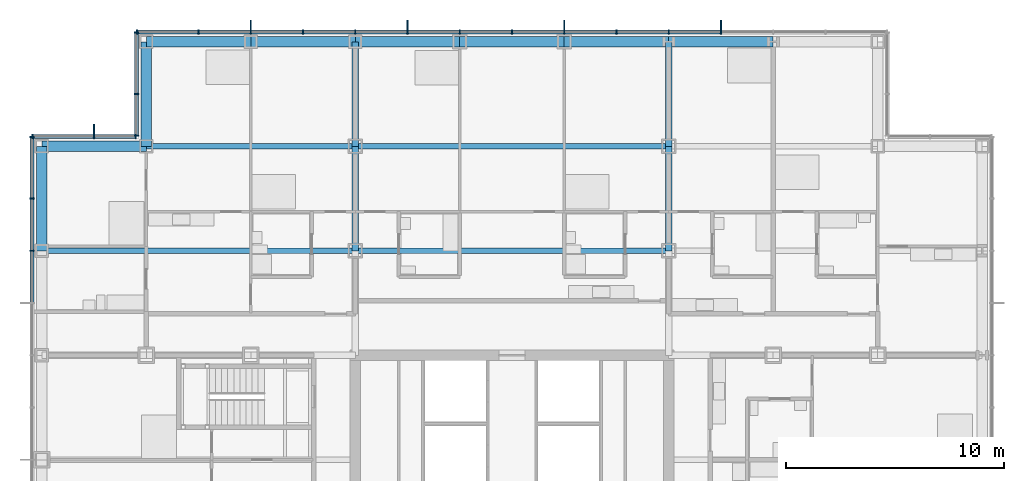
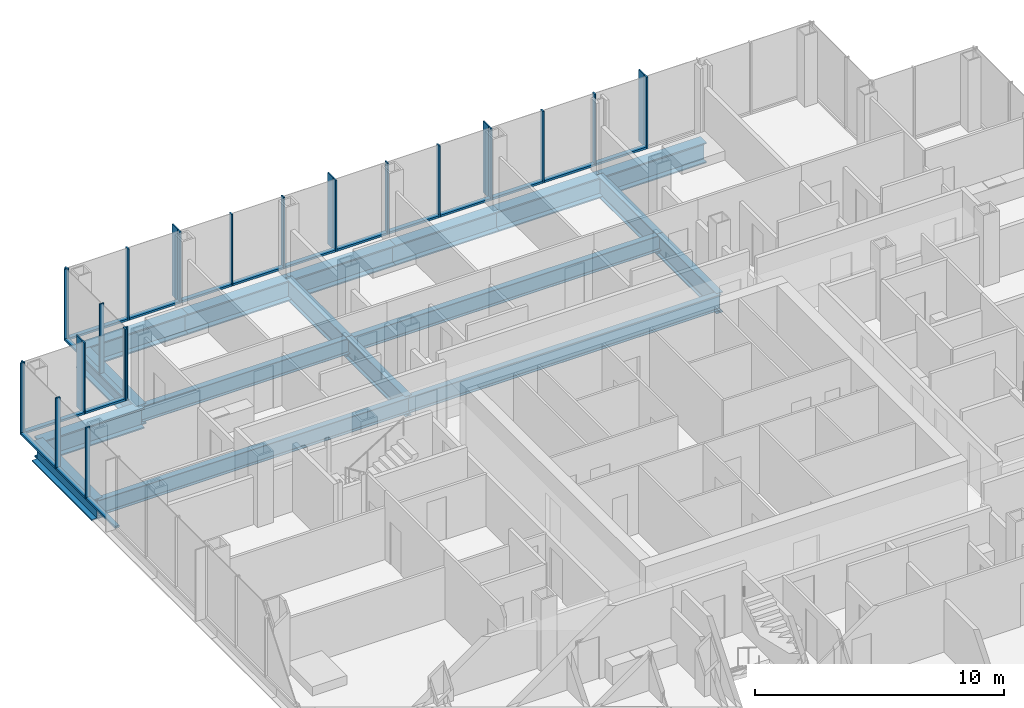
# One storey, part 10 of 21: 44 members, 17 beams, 4 elements without a shape of their own.
"""IFC4 building model written with IfcOpenShell, lengths in metres."""

from ifc_helpers import new_model, si_unit, direction, frame, origin, origin_2d, place, context, subcontext, project, spatial, rectangle, i_section, extrude, material, material_profile, profile_set, type_object, element, aggregate, save


model = new_model("IFC4")

# Units and contexts
model_context = context("Model", 3, precision=1e-05, world=origin(), true_north=direction((0.0, 1.0)))
body_context = subcontext(model_context, "Body", "Model", "MODEL_VIEW")
ifc_project = project(units=[si_unit("LENGTHUNIT", "METRE"), si_unit("AREAUNIT", "SQUARE_METRE"), si_unit("VOLUMEUNIT", "CUBIC_METRE"), si_unit("PLANEANGLEUNIT", "RADIAN"), si_unit("MASSUNIT", "GRAM", prefix="KILO")], contexts=[model_context])

# Site, building, storey
site_placement = place(None, origin())
site = spatial("IfcSite", under=ifc_project, at=site_placement, CompositionType="ELEMENT")
building_placement = place(site_placement, origin())
building = spatial("IfcBuilding", under=site, at=building_placement, Name="Kvirike Care Tower", CompositionType="ELEMENT")
storey_placement = place(building_placement, frame((0.0, 0.0, 44.5)))
storey = spatial("IfcBuildingStorey", under=building, at=storey_placement, Name="L11", CompositionType="ELEMENT", Elevation=44.5)

# Curtain wall, members
ifc_material_1 = material(Name="Anodised aluminium stick system", Category="aluminium")
curtain_wall_type = type_object("IfcCurtainWallType", Name="CW-A STICK CURTAIN WALL", PredefinedType="NOTDEFINED", material=ifc_material_1)
curtain_wall_1_placement = place(storey_placement, origin())
curtain_wall_1 = element("IfcCurtainWall", 1, at=curtain_wall_1_placement, inside=storey, type_object=curtain_wall_type, Name="Curtain wall L11 face 10", PredefinedType="NOTDEFINED")
ifc_material_2 = material(Name="Bronze anodised aluminium fin", Category="aluminium")
ifc_material_profile_1 = material_profile(ifc_material_2, rectangle(XDim=0.050048828125, YDim=0.449951171875, at=origin_2d()), Name="BRONZE FIN 450")
ifc_profile_set_1 = profile_set([ifc_material_profile_1], Name="Bronze anodised aluminium fin")
member_type_1 = type_object("IfcMemberType", Name="BRONZE FIN 450", PredefinedType="USERDEFINED", material=ifc_profile_set_1)
member_1_placement = place(storey_placement, frame((31.199951171875, 58.375, 0.0), z_axis=(0.0, 0.0, 1.0), x_axis=(-1.0, 0.0, 0.0)))
member_1 = element("IfcMember", 2, at=member_1_placement, type_object=member_type_1, Name="Bronze fin L11 face 10.4", ObjectType="FIN", PredefinedType="USERDEFINED", context=body_context, shape_type="SweptSolid", body=[
    extrude(rectangle(XDim=0.050048828125, YDim=0.449951171875, at=origin_2d()), origin(), (0.0, 0.0, 1.0), 3.5),
])
member_2_placement = place(storey_placement, frame((24.0, 58.375, 0.0), z_axis=(0.0, 0.0, 1.0), x_axis=(-1.0, 0.0, 0.0)))
member_2 = element("IfcMember", 3, at=member_2_placement, type_object=member_type_1, Name="Bronze fin L11 face 10.7", ObjectType="FIN", PredefinedType="USERDEFINED", context=body_context, shape_type="SweptSolid", body=[
    extrude(rectangle(XDim=0.050048828125, YDim=0.449951171875, at=origin_2d()), origin(), (0.0, 0.0, 1.0), 3.5),
])
member_3_placement = place(storey_placement, frame((16.800048828125, 58.375, 0.0), z_axis=(0.0, 0.0, 1.0), x_axis=(-1.0, 0.0, 0.0)))
member_3 = element("IfcMember", 4, at=member_3_placement, type_object=member_type_1, Name="Bronze fin L11 face 10.10", ObjectType="FIN", PredefinedType="USERDEFINED", context=body_context, shape_type="SweptSolid", body=[
    extrude(rectangle(XDim=0.050048828125, YDim=0.449951171875, at=origin_2d()), origin(), (0.0, 0.0, 1.0), 3.5),
])
member_4_placement = place(storey_placement, frame((9.60009765625, 58.375, 0.0), z_axis=(0.0, 0.0, 1.0), x_axis=(-1.0, 0.0, 0.0)))
member_4 = element("IfcMember", 5, at=member_4_placement, type_object=member_type_1, Name="Bronze fin L11 face 10.13", ObjectType="FIN", PredefinedType="USERDEFINED", context=body_context, shape_type="SweptSolid", body=[
    extrude(rectangle(XDim=0.050048828125, YDim=0.449951171875, at=origin_2d()), origin(), (0.0, 0.0, 1.0), 3.5),
])

# Curtain wall, member
curtain_wall_2_placement = place(storey_placement, origin())
curtain_wall_2 = element("IfcCurtainWall", 6, at=curtain_wall_2_placement, inside=storey, type_object=curtain_wall_type, Name="Curtain wall L11 face 12", PredefinedType="NOTDEFINED")
member_5_placement = place(storey_placement, frame((2.39990234375, 53.574951171875, 0.0), z_axis=(0.0, 0.0, 1.0), x_axis=(-1.0, 0.0, 0.0)))
member_5 = element("IfcMember", 7, at=member_5_placement, type_object=member_type_1, Name="Bronze fin L11 face 12.2", ObjectType="FIN", PredefinedType="USERDEFINED", context=body_context, shape_type="SweptSolid", body=[
    extrude(rectangle(XDim=0.050048828125, YDim=0.449951171875, at=origin_2d()), origin(), (0.0, 0.0, 1.0), 3.5),
])

# Curtain wall, members
curtain_wall_3_placement = place(storey_placement, origin())
curtain_wall_3 = element("IfcCurtainWall", 8, at=curtain_wall_3_placement, inside=storey, type_object=curtain_wall_type, Name="Curtain wall L11 face 1", PredefinedType="NOTDEFINED")
ifc_material_3 = material(Name="Bronze anodised aluminium mullion", Category="aluminium")
ifc_material_profile_2 = material_profile(ifc_material_3, rectangle(XDim=0.06494140625, YDim=0.199951171875, at=origin_2d()), Name="CW-A MULLION 65x200")
ifc_profile_set_2 = profile_set([ifc_material_profile_2], Name="Bronze anodised aluminium mullion")
member_type_2 = type_object("IfcMemberType", Name="CW-A MULLION 65x200", PredefinedType="MULLION", material=ifc_profile_set_2)
member_6_placement = place(storey_placement, frame((-0.449951171875, 53.217529296875, 0.0), z_axis=(0.0, 0.0, 1.0), x_axis=(0.0, -1.0, 0.0)))
member_6 = element("IfcMember", 9, at=member_6_placement, type_object=member_type_2, Name="CW-A mullion L11 face 1.1", PredefinedType="MULLION", context=body_context, shape_type="SweptSolid", body=[
    extrude(rectangle(XDim=0.06494140625, YDim=0.199951171875, at=origin_2d()), origin(), (0.0, 0.0, 1.0), 3.5),
])
member_7_placement = place(storey_placement, frame((-0.449951171875, 50.39990234375, 0.0), z_axis=(0.0, 0.0, 1.0), x_axis=(0.0, -1.0, 0.0)))
member_7 = element("IfcMember", 10, at=member_7_placement, type_object=member_type_2, Name="CW-A mullion L11 face 1.2", PredefinedType="MULLION", context=body_context, shape_type="SweptSolid", body=[
    extrude(rectangle(XDim=0.06494140625, YDim=0.199951171875, at=origin_2d()), origin(), (0.0, 0.0, 1.0), 3.5),
])
member_8_placement = place(storey_placement, frame((-0.449951171875, 48.0, 0.0), z_axis=(0.0, 0.0, 1.0), x_axis=(0.0, -1.0, 0.0)))
member_8 = element("IfcMember", 11, at=member_8_placement, type_object=member_type_2, Name="CW-A mullion L11 face 1.3", PredefinedType="MULLION", context=body_context, shape_type="SweptSolid", body=[
    extrude(rectangle(XDim=0.06494140625, YDim=0.199951171875, at=origin_2d()), origin(), (0.0, 0.0, 1.0), 3.5),
])

# Member
member_9_placement = place(storey_placement, frame((31.199951171875, 58.050048828125, 0.0), z_axis=(0.0, 0.0, 1.0), x_axis=(-1.0, 0.0, 0.0)))
member_9 = element("IfcMember", 12, at=member_9_placement, type_object=member_type_2, Name="CW-A mullion L11 face 10.4", PredefinedType="MULLION", context=body_context, shape_type="SweptSolid", body=[
    extrude(rectangle(XDim=0.06494140625, YDim=0.199951171875, at=origin_2d()), origin(), (0.0, 0.0, 1.0), 3.5),
])

member_10_placement = place(storey_placement, frame((28.800048828125, 58.050048828125, 0.0), z_axis=(0.0, 0.0, 1.0), x_axis=(-1.0, 0.0, 0.0)))
member_10 = element("IfcMember", 13, at=member_10_placement, type_object=member_type_2, Name="CW-A mullion L11 face 10.5", PredefinedType="MULLION", context=body_context, shape_type="SweptSolid", body=[
    extrude(rectangle(XDim=0.06494140625, YDim=0.199951171875, at=origin_2d()), origin(), (0.0, 0.0, 1.0), 3.5),
])

member_11_placement = place(storey_placement, frame((26.39990234375, 58.050048828125, 0.0), z_axis=(0.0, 0.0, 1.0), x_axis=(-1.0, 0.0, 0.0)))
member_11 = element("IfcMember", 14, at=member_11_placement, type_object=member_type_2, Name="CW-A mullion L11 face 10.6", PredefinedType="MULLION", context=body_context, shape_type="SweptSolid", body=[
    extrude(rectangle(XDim=0.06494140625, YDim=0.199951171875, at=origin_2d()), origin(), (0.0, 0.0, 1.0), 3.5),
])

member_12_placement = place(storey_placement, frame((24.0, 58.050048828125, 0.0), z_axis=(0.0, 0.0, 1.0), x_axis=(-1.0, 0.0, 0.0)))
member_12 = element("IfcMember", 15, at=member_12_placement, type_object=member_type_2, Name="CW-A mullion L11 face 10.7", PredefinedType="MULLION", context=body_context, shape_type="SweptSolid", body=[
    extrude(rectangle(XDim=0.06494140625, YDim=0.199951171875, at=origin_2d()), origin(), (0.0, 0.0, 1.0), 3.5),
])

member_13_placement = place(storey_placement, frame((21.60009765625, 58.050048828125, 0.0), z_axis=(0.0, 0.0, 1.0), x_axis=(-1.0, 0.0, 0.0)))
member_13 = element("IfcMember", 16, at=member_13_placement, type_object=member_type_2, Name="CW-A mullion L11 face 10.8", PredefinedType="MULLION", context=body_context, shape_type="SweptSolid", body=[
    extrude(rectangle(XDim=0.06494140625, YDim=0.199951171875, at=origin_2d()), origin(), (0.0, 0.0, 1.0), 3.5),
])

member_14_placement = place(storey_placement, frame((19.199951171875, 58.050048828125, 0.0), z_axis=(0.0, 0.0, 1.0), x_axis=(-1.0, 0.0, 0.0)))
member_14 = element("IfcMember", 17, at=member_14_placement, type_object=member_type_2, Name="CW-A mullion L11 face 10.9", PredefinedType="MULLION", context=body_context, shape_type="SweptSolid", body=[
    extrude(rectangle(XDim=0.06494140625, YDim=0.199951171875, at=origin_2d()), origin(), (0.0, 0.0, 1.0), 3.5),
])

member_15_placement = place(storey_placement, frame((16.800048828125, 58.050048828125, 0.0), z_axis=(0.0, 0.0, 1.0), x_axis=(-1.0, 0.0, 0.0)))
member_15 = element("IfcMember", 18, at=member_15_placement, type_object=member_type_2, Name="CW-A mullion L11 face 10.10", PredefinedType="MULLION", context=body_context, shape_type="SweptSolid", body=[
    extrude(rectangle(XDim=0.06494140625, YDim=0.199951171875, at=origin_2d()), origin(), (0.0, 0.0, 1.0), 3.5),
])

member_16_placement = place(storey_placement, frame((14.39990234375, 58.050048828125, 0.0), z_axis=(0.0, 0.0, 1.0), x_axis=(-1.0, 0.0, 0.0)))
member_16 = element("IfcMember", 19, at=member_16_placement, type_object=member_type_2, Name="CW-A mullion L11 face 10.11", PredefinedType="MULLION", context=body_context, shape_type="SweptSolid", body=[
    extrude(rectangle(XDim=0.06494140625, YDim=0.199951171875, at=origin_2d()), origin(), (0.0, 0.0, 1.0), 3.5),
])

member_17_placement = place(storey_placement, frame((12.0, 58.050048828125, 0.0), z_axis=(0.0, 0.0, 1.0), x_axis=(-1.0, 0.0, 0.0)))
member_17 = element("IfcMember", 20, at=member_17_placement, type_object=member_type_2, Name="CW-A mullion L11 face 10.12", PredefinedType="MULLION", context=body_context, shape_type="SweptSolid", body=[
    extrude(rectangle(XDim=0.06494140625, YDim=0.199951171875, at=origin_2d()), origin(), (0.0, 0.0, 1.0), 3.5),
])

member_18_placement = place(storey_placement, frame((9.60009765625, 58.050048828125, 0.0), z_axis=(0.0, 0.0, 1.0), x_axis=(-1.0, 0.0, 0.0)))
member_18 = element("IfcMember", 21, at=member_18_placement, type_object=member_type_2, Name="CW-A mullion L11 face 10.13", PredefinedType="MULLION", context=body_context, shape_type="SweptSolid", body=[
    extrude(rectangle(XDim=0.06494140625, YDim=0.199951171875, at=origin_2d()), origin(), (0.0, 0.0, 1.0), 3.5),
])

member_19_placement = place(storey_placement, frame((7.199951171875, 58.050048828125, 0.0), z_axis=(0.0, 0.0, 1.0), x_axis=(-1.0, 0.0, 0.0)))
member_19 = element("IfcMember", 22, at=member_19_placement, type_object=member_type_2, Name="CW-A mullion L11 face 10.14", PredefinedType="MULLION", context=body_context, shape_type="SweptSolid", body=[
    extrude(rectangle(XDim=0.06494140625, YDim=0.199951171875, at=origin_2d()), origin(), (0.0, 0.0, 1.0), 3.5),
])

member_20_placement = place(storey_placement, frame((4.382568359375, 58.050048828125, 0.0), z_axis=(0.0, 0.0, 1.0), x_axis=(-1.0, 0.0, 0.0)))
member_20 = element("IfcMember", 23, at=member_20_placement, type_object=member_type_2, Name="CW-A mullion L11 face 10.15", PredefinedType="MULLION", context=body_context, shape_type="SweptSolid", body=[
    extrude(rectangle(XDim=0.06494140625, YDim=0.199951171875, at=origin_2d()), origin(), (0.0, 0.0, 1.0), 3.5),
])

# Curtain wall, members
curtain_wall_4_placement = place(storey_placement, origin())
curtain_wall_4 = element("IfcCurtainWall", 24, at=curtain_wall_4_placement, inside=storey, type_object=curtain_wall_type, Name="Curtain wall L11 face 11", PredefinedType="NOTDEFINED")
member_21_placement = place(storey_placement, frame((4.35009765625, 58.017578125, 0.0), z_axis=(0.0, 0.0, 1.0), x_axis=(0.0, -1.0, 0.0)))
member_21 = element("IfcMember", 25, at=member_21_placement, type_object=member_type_2, Name="CW-A mullion L11 face 11.1", PredefinedType="MULLION", context=body_context, shape_type="SweptSolid", body=[
    extrude(rectangle(XDim=0.06494140625, YDim=0.199951171875, at=origin_2d()), origin(), (0.0, 0.0, 1.0), 3.5),
])
member_22_placement = place(storey_placement, frame((4.35009765625, 55.199951171875, 0.0), z_axis=(0.0, 0.0, 1.0), x_axis=(0.0, -1.0, 0.0)))
member_22 = element("IfcMember", 26, at=member_22_placement, type_object=member_type_2, Name="CW-A mullion L11 face 11.2", PredefinedType="MULLION", context=body_context, shape_type="SweptSolid", body=[
    extrude(rectangle(XDim=0.06494140625, YDim=0.199951171875, at=origin_2d()), origin(), (0.0, 0.0, 1.0), 3.5),
])
member_23_placement = place(storey_placement, frame((4.35009765625, 53.282470703125, 0.0), z_axis=(0.0, 0.0, 1.0), x_axis=(0.0, -1.0, 0.0)))
member_23 = element("IfcMember", 27, at=member_23_placement, type_object=member_type_2, Name="CW-A mullion L11 face 11.3", PredefinedType="MULLION", context=body_context, shape_type="SweptSolid", body=[
    extrude(rectangle(XDim=0.06494140625, YDim=0.199951171875, at=origin_2d()), origin(), (0.0, 0.0, 1.0), 3.5),
])

# Member
member_24_placement = place(storey_placement, frame((4.3173828125, 53.25, 0.0), z_axis=(0.0, 0.0, 1.0), x_axis=(-1.0, 0.0, 0.0)))
member_24 = element("IfcMember", 28, at=member_24_placement, type_object=member_type_2, Name="CW-A mullion L11 face 12.1", PredefinedType="MULLION", context=body_context, shape_type="SweptSolid", body=[
    extrude(rectangle(XDim=0.06494140625, YDim=0.199951171875, at=origin_2d()), origin(), (0.0, 0.0, 1.0), 3.5),
])

member_25_placement = place(storey_placement, frame((2.39990234375, 53.25, 0.0), z_axis=(0.0, 0.0, 1.0), x_axis=(-1.0, 0.0, 0.0)))
member_25 = element("IfcMember", 29, at=member_25_placement, type_object=member_type_2, Name="CW-A mullion L11 face 12.2", PredefinedType="MULLION", context=body_context, shape_type="SweptSolid", body=[
    extrude(rectangle(XDim=0.06494140625, YDim=0.199951171875, at=origin_2d()), origin(), (0.0, 0.0, 1.0), 3.5),
])

member_26_placement = place(storey_placement, frame((-0.41748046875, 53.25, 0.0), z_axis=(0.0, 0.0, 1.0), x_axis=(-1.0, 0.0, 0.0)))
member_26 = element("IfcMember", 30, at=member_26_placement, type_object=member_type_2, Name="CW-A mullion L11 face 12.3", PredefinedType="MULLION", context=body_context, shape_type="SweptSolid", body=[
    extrude(rectangle(XDim=0.06494140625, YDim=0.199951171875, at=origin_2d()), origin(), (0.0, 0.0, 1.0), 3.5),
])

ifc_material_4 = material(Name="Bronze anodised aluminium transom", Category="aluminium")
ifc_material_profile_3 = material_profile(ifc_material_4, rectangle(XDim=0.199951171875, YDim=0.10009765625, at=origin_2d()), Name="CW-A TRANSOM 200x100")
ifc_profile_set_3 = profile_set([ifc_material_profile_3], Name="Bronze anodised aluminium transom")
member_type_3 = type_object("IfcMemberType", Name="CW-A TRANSOM 200x100", PredefinedType="USERDEFINED", material=ifc_profile_set_3)
member_27_placement = place(storey_placement, frame((-0.449951171875, 53.18505859375, 0.050048828125), z_axis=(0.0, -1.0, 0.0), x_axis=(1.0, 0.0, 0.0)))
member_27 = element("IfcMember", 31, at=member_27_placement, type_object=member_type_3, Name="CW-A sill transom L11 face 1.1", ObjectType="TRANSOM", PredefinedType="USERDEFINED", context=body_context, shape_type="SweptSolid", body=[
    extrude(rectangle(XDim=0.199951171875, YDim=0.10009765625, at=origin_2d()), origin(), (0.0, 0.0, 1.0), 2.75244140625),
])

member_28_placement = place(storey_placement, frame((-0.449951171875, 50.367431640625, 0.050048828125), z_axis=(0.0, -1.0, 0.0), x_axis=(1.0, 0.0, 0.0)))
member_28 = element("IfcMember", 32, at=member_28_placement, type_object=member_type_3, Name="CW-A sill transom L11 face 1.2", ObjectType="TRANSOM", PredefinedType="USERDEFINED", context=body_context, shape_type="SweptSolid", body=[
    extrude(rectangle(XDim=0.199951171875, YDim=0.10009765625, at=origin_2d()), origin(), (0.0, 0.0, 1.0), 2.3349609375),
])

member_29_placement = place(storey_placement, frame((-0.449951171875, 47.967529296875, 0.050048828125), z_axis=(0.0, -1.0, 0.0), x_axis=(1.0, 0.0, 0.0)))
member_29 = element("IfcMember", 33, at=member_29_placement, type_object=member_type_3, Name="CW-A sill transom L11 face 1.3", ObjectType="TRANSOM", PredefinedType="USERDEFINED", context=body_context, shape_type="SweptSolid", body=[
    extrude(rectangle(XDim=0.199951171875, YDim=0.10009765625, at=origin_2d()), origin(), (0.0, 0.0, 1.0), 2.3349609375),
])

aggregate(curtain_wall_3, [member_6, member_7, member_8, member_27, member_28, member_29])

member_30_placement = place(storey_placement, frame((31.16748046875, 58.050048828125, 0.050048828125), z_axis=(-1.0, 0.0, 0.0), x_axis=(0.0, -1.0, 0.0)))
member_30 = element("IfcMember", 34, at=member_30_placement, type_object=member_type_3, Name="CW-A sill transom L11 face 10.4", ObjectType="TRANSOM", PredefinedType="USERDEFINED", context=body_context, shape_type="SweptSolid", body=[
    extrude(rectangle(XDim=0.199951171875, YDim=0.10009765625, at=origin_2d()), origin(), (0.0, 0.0, 1.0), 2.3349609375),
])

member_31_placement = place(storey_placement, frame((28.767578125, 58.050048828125, 0.050048828125), z_axis=(-1.0, 0.0, 0.0), x_axis=(0.0, -1.0, 0.0)))
member_31 = element("IfcMember", 35, at=member_31_placement, type_object=member_type_3, Name="CW-A sill transom L11 face 10.5", ObjectType="TRANSOM", PredefinedType="USERDEFINED", context=body_context, shape_type="SweptSolid", body=[
    extrude(rectangle(XDim=0.199951171875, YDim=0.10009765625, at=origin_2d()), origin(), (0.0, 0.0, 1.0), 2.3349609375),
])

member_32_placement = place(storey_placement, frame((26.367431640625, 58.050048828125, 0.050048828125), z_axis=(-1.0, 0.0, 0.0), x_axis=(0.0, -1.0, 0.0)))
member_32 = element("IfcMember", 36, at=member_32_placement, type_object=member_type_3, Name="CW-A sill transom L11 face 10.6", ObjectType="TRANSOM", PredefinedType="USERDEFINED", context=body_context, shape_type="SweptSolid", body=[
    extrude(rectangle(XDim=0.199951171875, YDim=0.10009765625, at=origin_2d()), origin(), (0.0, 0.0, 1.0), 2.3349609375),
])

member_33_placement = place(storey_placement, frame((23.967529296875, 58.050048828125, 0.050048828125), z_axis=(-1.0, 0.0, 0.0), x_axis=(0.0, -1.0, 0.0)))
member_33 = element("IfcMember", 37, at=member_33_placement, type_object=member_type_3, Name="CW-A sill transom L11 face 10.7", ObjectType="TRANSOM", PredefinedType="USERDEFINED", context=body_context, shape_type="SweptSolid", body=[
    extrude(rectangle(XDim=0.199951171875, YDim=0.10009765625, at=origin_2d()), origin(), (0.0, 0.0, 1.0), 2.3349609375),
])

member_34_placement = place(storey_placement, frame((21.5673828125, 58.050048828125, 0.050048828125), z_axis=(-1.0, 0.0, 0.0), x_axis=(0.0, -1.0, 0.0)))
member_34 = element("IfcMember", 38, at=member_34_placement, type_object=member_type_3, Name="CW-A sill transom L11 face 10.8", ObjectType="TRANSOM", PredefinedType="USERDEFINED", context=body_context, shape_type="SweptSolid", body=[
    extrude(rectangle(XDim=0.199951171875, YDim=0.10009765625, at=origin_2d()), origin(), (0.0, 0.0, 1.0), 2.3349609375),
])

member_35_placement = place(storey_placement, frame((19.16748046875, 58.050048828125, 0.050048828125), z_axis=(-1.0, 0.0, 0.0), x_axis=(0.0, -1.0, 0.0)))
member_35 = element("IfcMember", 39, at=member_35_placement, type_object=member_type_3, Name="CW-A sill transom L11 face 10.9", ObjectType="TRANSOM", PredefinedType="USERDEFINED", context=body_context, shape_type="SweptSolid", body=[
    extrude(rectangle(XDim=0.199951171875, YDim=0.10009765625, at=origin_2d()), origin(), (0.0, 0.0, 1.0), 2.3349609375),
])

member_36_placement = place(storey_placement, frame((16.767578125, 58.050048828125, 0.050048828125), z_axis=(-1.0, 0.0, 0.0), x_axis=(0.0, -1.0, 0.0)))
member_36 = element("IfcMember", 40, at=member_36_placement, type_object=member_type_3, Name="CW-A sill transom L11 face 10.10", ObjectType="TRANSOM", PredefinedType="USERDEFINED", context=body_context, shape_type="SweptSolid", body=[
    extrude(rectangle(XDim=0.199951171875, YDim=0.10009765625, at=origin_2d()), origin(), (0.0, 0.0, 1.0), 2.3349609375),
])

member_37_placement = place(storey_placement, frame((14.367431640625, 58.050048828125, 0.050048828125), z_axis=(-1.0, 0.0, 0.0), x_axis=(0.0, -1.0, 0.0)))
member_37 = element("IfcMember", 41, at=member_37_placement, type_object=member_type_3, Name="CW-A sill transom L11 face 10.11", ObjectType="TRANSOM", PredefinedType="USERDEFINED", context=body_context, shape_type="SweptSolid", body=[
    extrude(rectangle(XDim=0.199951171875, YDim=0.10009765625, at=origin_2d()), origin(), (0.0, 0.0, 1.0), 2.3349609375),
])

member_38_placement = place(storey_placement, frame((11.967529296875, 58.050048828125, 0.050048828125), z_axis=(-1.0, 0.0, 0.0), x_axis=(0.0, -1.0, 0.0)))
member_38 = element("IfcMember", 42, at=member_38_placement, type_object=member_type_3, Name="CW-A sill transom L11 face 10.12", ObjectType="TRANSOM", PredefinedType="USERDEFINED", context=body_context, shape_type="SweptSolid", body=[
    extrude(rectangle(XDim=0.199951171875, YDim=0.10009765625, at=origin_2d()), origin(), (0.0, 0.0, 1.0), 2.3349609375),
])

member_39_placement = place(storey_placement, frame((9.5673828125, 58.050048828125, 0.050048828125), z_axis=(-1.0, 0.0, 0.0), x_axis=(0.0, -1.0, 0.0)))
member_39 = element("IfcMember", 43, at=member_39_placement, type_object=member_type_3, Name="CW-A sill transom L11 face 10.13", ObjectType="TRANSOM", PredefinedType="USERDEFINED", context=body_context, shape_type="SweptSolid", body=[
    extrude(rectangle(XDim=0.199951171875, YDim=0.10009765625, at=origin_2d()), origin(), (0.0, 0.0, 1.0), 2.3349609375),
])

member_40_placement = place(storey_placement, frame((7.16748046875, 58.050048828125, 0.050048828125), z_axis=(-1.0, 0.0, 0.0), x_axis=(0.0, -1.0, 0.0)))
member_40 = element("IfcMember", 44, at=member_40_placement, type_object=member_type_3, Name="CW-A sill transom L11 face 10.14", ObjectType="TRANSOM", PredefinedType="USERDEFINED", context=body_context, shape_type="SweptSolid", body=[
    extrude(rectangle(XDim=0.199951171875, YDim=0.10009765625, at=origin_2d()), origin(), (0.0, 0.0, 1.0), 2.75244140625),
])

aggregate(curtain_wall_1, [member_9, member_1, member_10, member_11, member_12, member_2, member_13, member_14, member_15, member_3, member_16, member_17, member_18, member_4, member_19, member_20, member_30, member_31, member_32, member_33, member_34, member_35, member_36, member_37, member_38, member_39, member_40])

member_41_placement = place(storey_placement, frame((4.35009765625, 57.985107421875, 0.050048828125), z_axis=(0.0, -1.0, 0.0), x_axis=(1.0, 0.0, 0.0)))
member_41 = element("IfcMember", 45, at=member_41_placement, type_object=member_type_3, Name="CW-A sill transom L11 face 11.1", ObjectType="TRANSOM", PredefinedType="USERDEFINED", context=body_context, shape_type="SweptSolid", body=[
    extrude(rectangle(XDim=0.199951171875, YDim=0.10009765625, at=origin_2d()), origin(), (0.0, 0.0, 1.0), 2.752685546875),
])

member_42_placement = place(storey_placement, frame((4.35009765625, 55.16748046875, 0.050048828125), z_axis=(0.0, -1.0, 0.0), x_axis=(1.0, 0.0, 0.0)))
member_42 = element("IfcMember", 46, at=member_42_placement, type_object=member_type_3, Name="CW-A sill transom L11 face 11.2", ObjectType="TRANSOM", PredefinedType="USERDEFINED", context=body_context, shape_type="SweptSolid", body=[
    extrude(rectangle(XDim=0.199951171875, YDim=0.10009765625, at=origin_2d()), origin(), (0.0, 0.0, 1.0), 1.8525390625),
])

aggregate(curtain_wall_4, [member_21, member_22, member_23, member_41, member_42])

member_43_placement = place(storey_placement, frame((4.284912109375, 53.25, 0.050048828125), z_axis=(-1.0, 0.0, 0.0), x_axis=(0.0, -1.0, 0.0)))
member_43 = element("IfcMember", 47, at=member_43_placement, type_object=member_type_3, Name="CW-A sill transom L11 face 12.1", ObjectType="TRANSOM", PredefinedType="USERDEFINED", context=body_context, shape_type="SweptSolid", body=[
    extrude(rectangle(XDim=0.199951171875, YDim=0.10009765625, at=origin_2d()), origin(), (0.0, 0.0, 1.0), 1.852294921875),
])

member_44_placement = place(storey_placement, frame((2.367431640625, 53.25, 0.050048828125), z_axis=(-1.0, 0.0, 0.0), x_axis=(0.0, -1.0, 0.0)))
member_44 = element("IfcMember", 48, at=member_44_placement, type_object=member_type_3, Name="CW-A sill transom L11 face 12.2", ObjectType="TRANSOM", PredefinedType="USERDEFINED", context=body_context, shape_type="SweptSolid", body=[
    extrude(rectangle(XDim=0.199951171875, YDim=0.10009765625, at=origin_2d()), origin(), (0.0, 0.0, 1.0), 2.75244140625),
])

aggregate(curtain_wall_2, [member_24, member_25, member_5, member_26, member_43, member_44])

# Beams
ifc_material_5 = material(Name="Steel S355", Category="steel")
ifc_material_profile_4 = material_profile(ifc_material_5, i_section(OverallWidth=0.26806640625, OverallDepth=0.77001953125, WebThickness=0.015625, FlangeThickness=0.025390625, FilletRadius=0.01708984375, at=origin_2d()), Name="IPE 750x196")
ifc_profile_set_4 = profile_set([ifc_material_profile_4], Name="Steel S355")
beam_type_1 = type_object("IfcBeamType", Name="FLOOR BEAM IPE 750x196", PredefinedType="BEAM", material=ifc_profile_set_4)
beam_1_placement = place(storey_placement, frame((0.0, 48.0, -0.554931640625), z_axis=(1.0, 0.0, 0.0), x_axis=(0.0, 1.0, 0.0)))
element("IfcBeam", 49, at=beam_1_placement, inside=storey, type_object=beam_type_1, Name="Floor Beam L3-L6 L11", PredefinedType="BEAM", context=body_context, shape_type="SweptSolid", body=[
    extrude(i_section(OverallWidth=0.26806640625, OverallDepth=0.77001953125, WebThickness=0.015625, FlangeThickness=0.025390625, FilletRadius=0.01708984375, at=origin_2d()), origin(), (0.0, 0.0, 1.0), 14.39990234375),
])
beam_2_placement = place(storey_placement, frame((14.39990234375, 48.0, -0.554931640625), z_axis=(1.0, 0.0, 0.0), x_axis=(0.0, 1.0, 0.0)))
element("IfcBeam", 50, at=beam_2_placement, inside=storey, type_object=beam_type_1, Name="Floor Beam L6-L9 L11", PredefinedType="BEAM", context=body_context, shape_type="SweptSolid", body=[
    extrude(i_section(OverallWidth=0.26806640625, OverallDepth=0.77001953125, WebThickness=0.015625, FlangeThickness=0.025390625, FilletRadius=0.01708984375, at=origin_2d()), origin(), (0.0, 0.0, 1.0), 14.400146484375),
])
beam_3_placement = place(storey_placement, frame((4.800048828125, 52.800048828125, -0.554931640625), z_axis=(1.0, 0.0, 0.0), x_axis=(0.0, 1.0, 0.0)))
element("IfcBeam", 51, at=beam_3_placement, inside=storey, type_object=beam_type_1, Name="Floor Beam M4-M6 L11", PredefinedType="BEAM", context=body_context, shape_type="SweptSolid", body=[
    extrude(i_section(OverallWidth=0.26806640625, OverallDepth=0.77001953125, WebThickness=0.015625, FlangeThickness=0.025390625, FilletRadius=0.01708984375, at=origin_2d()), origin(), (0.0, 0.0, 1.0), 9.599853515625),
])
beam_4_placement = place(storey_placement, frame((14.39990234375, 52.800048828125, -0.554931640625), z_axis=(1.0, 0.0, 0.0), x_axis=(0.0, 1.0, 0.0)))
element("IfcBeam", 52, at=beam_4_placement, inside=storey, type_object=beam_type_1, Name="Floor Beam M6-M9 L11", PredefinedType="BEAM", context=body_context, shape_type="SweptSolid", body=[
    extrude(i_section(OverallWidth=0.26806640625, OverallDepth=0.77001953125, WebThickness=0.015625, FlangeThickness=0.025390625, FilletRadius=0.01708984375, at=origin_2d()), origin(), (0.0, 0.0, 1.0), 14.400146484375),
])
ifc_material_6 = material(Name="Steel S355", Category="steel")
ifc_material_profile_5 = material_profile(ifc_material_6, i_section(OverallWidth=0.300048828125, OverallDepth=1.0, WebThickness=0.01904296875, FlangeThickness=0.035888671875, FilletRadius=0.030029296875, at=origin_2d()), Name="HE 1000 B")
ifc_profile_set_5 = profile_set([ifc_material_profile_5], Name="Steel S355")
beam_type_2 = type_object("IfcBeamType", Name="FRAME BEAM HE 1000 B", PredefinedType="BEAM", material=ifc_profile_set_5)
for number, where, z_axis, x_axis, name in (
    (53, (14.39990234375, 48.0, -0.669921875), (0.0, 1.0, 0.0), (-1.0, 0.0, 0.0), "Frame Beam L6-M6 L11"),
    (54, (14.39990234375, 52.800048828125, -0.669921875), (0.0, 1.0, 0.0), (-1.0, 0.0, 0.0), "Frame Beam M6-N6 L11"),
    (55, (28.800048828125, 48.0, -0.669921875), (0.0, 1.0, 0.0), (-1.0, 0.0, 0.0), "Frame Beam L9-M9 L11"),
    (56, (28.800048828125, 52.800048828125, -0.669921875), (0.0, 1.0, 0.0), (-1.0, 0.0, 0.0), "Frame Beam M9-N9 L11"),
):
    element("IfcBeam", number, at=place(storey_placement, frame(where, z_axis=z_axis, x_axis=x_axis)), inside=storey, type_object=beam_type_2, Name=name, PredefinedType="BEAM", context=body_context, shape_type="SweptSolid", body=[
        extrude(i_section(OverallWidth=0.300048828125, OverallDepth=1.0, WebThickness=0.01904296875, FlangeThickness=0.035888671875, FilletRadius=0.030029296875, at=origin_2d()), origin(), (0.0, 0.0, 1.0), 4.800048828125),
    ])
ifc_material_7 = material(Name="Steel S355", Category="steel")
ifc_material_profile_6 = material_profile(ifc_material_7, i_section(OverallWidth=0.5, OverallDepth=1.0, WebThickness=0.030029296875, FlangeThickness=0.06005859375, at=origin_2d()), Name="PG 1000x500x30x60")
ifc_profile_set_6 = profile_set([ifc_material_profile_6], Name="Steel S355")
beam_type_3 = type_object("IfcBeamType", Name="SPANDREL PG 1000x500x30x60", PredefinedType="SPANDREL", material=ifc_profile_set_6)
for number, where, z_axis, x_axis, name in (
    (57, (0.0, 52.800048828125, -0.669921875), (1.0, 0.0, 0.0), (0.0, 1.0, 0.0), "Spandrel M3-M4 L11"),
    (58, (4.800048828125, 57.60009765625, -0.669921875), (1.0, 0.0, 0.0), (0.0, 1.0, 0.0), "Spandrel N4-N5 L11"),
):
    element("IfcBeam", number, at=place(storey_placement, frame(where, z_axis=z_axis, x_axis=x_axis)), inside=storey, type_object=beam_type_3, Name=name, PredefinedType="SPANDREL", context=body_context, shape_type="SweptSolid", body=[
        extrude(i_section(OverallWidth=0.5, OverallDepth=1.0, WebThickness=0.030029296875, FlangeThickness=0.06005859375, at=origin_2d()), origin(), (0.0, 0.0, 1.0), 4.800048828125),
    ])
beam_5_placement = place(storey_placement, frame((9.60009765625, 57.60009765625, -0.669921875), z_axis=(1.0, 0.0, 0.0), x_axis=(0.0, 1.0, 0.0)))
element("IfcBeam", 59, at=beam_5_placement, inside=storey, type_object=beam_type_3, Name="Spandrel N5-N6 L11", PredefinedType="SPANDREL", context=body_context, shape_type="SweptSolid", body=[
    extrude(i_section(OverallWidth=0.5, OverallDepth=1.0, WebThickness=0.030029296875, FlangeThickness=0.06005859375, at=origin_2d()), origin(), (0.0, 0.0, 1.0), 4.7998046875),
])
for number, where, z_axis, x_axis, name in (
    (60, (14.39990234375, 57.60009765625, -0.669921875), (1.0, 0.0, 0.0), (0.0, 1.0, 0.0), "Spandrel N6-N7 L11"),
    (61, (19.199951171875, 57.60009765625, -0.669921875), (1.0, 0.0, 0.0), (0.0, 1.0, 0.0), "Spandrel N7-N8 L11"),
    (62, (24.0, 57.60009765625, -0.669921875), (1.0, 0.0, 0.0), (0.0, 1.0, 0.0), "Spandrel N8-N9 L11"),
    (63, (28.800048828125, 57.60009765625, -0.669921875), (1.0, 0.0, 0.0), (0.0, 1.0, 0.0), "Spandrel N9-N10 L11"),
    (64, (0.0, 48.0, -0.669921875), (0.0, 1.0, 0.0), (-1.0, 0.0, 0.0), "Spandrel L3-M3 L11"),
    (65, (4.800048828125, 52.800048828125, -0.669921875), (0.0, 1.0, 0.0), (-1.0, 0.0, 0.0), "Spandrel M4-N4 L11"),
):
    element("IfcBeam", number, at=place(storey_placement, frame(where, z_axis=z_axis, x_axis=x_axis)), inside=storey, type_object=beam_type_3, Name=name, PredefinedType="SPANDREL", context=body_context, shape_type="SweptSolid", body=[
        extrude(i_section(OverallWidth=0.5, OverallDepth=1.0, WebThickness=0.030029296875, FlangeThickness=0.06005859375, at=origin_2d()), origin(), (0.0, 0.0, 1.0), 4.800048828125),
    ])

save(model, "model.ifc")
